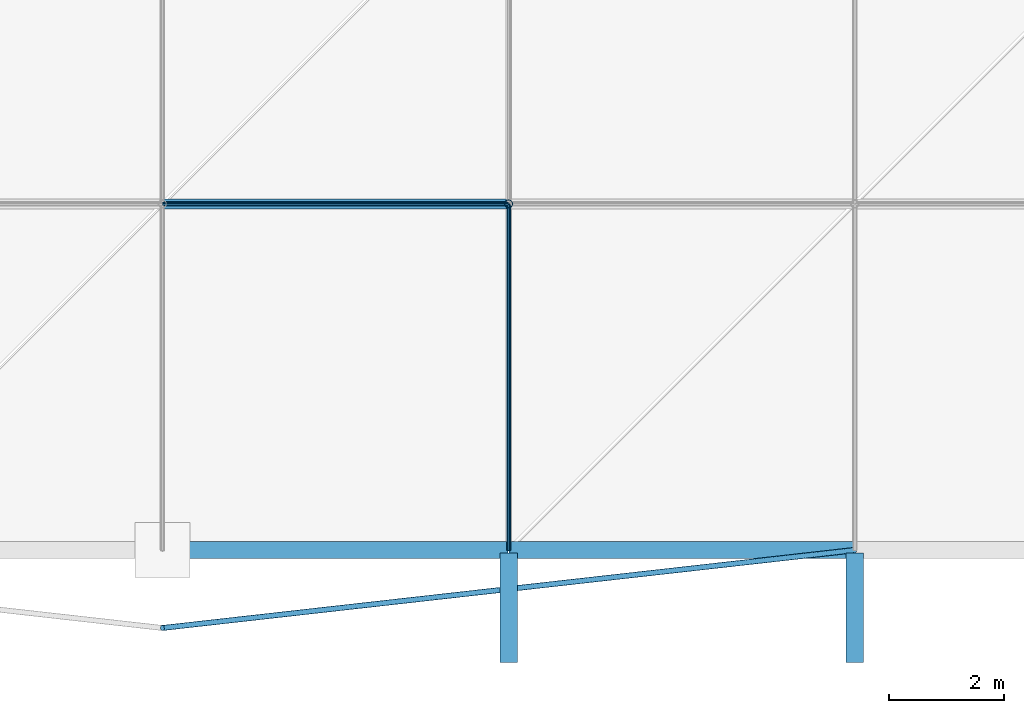
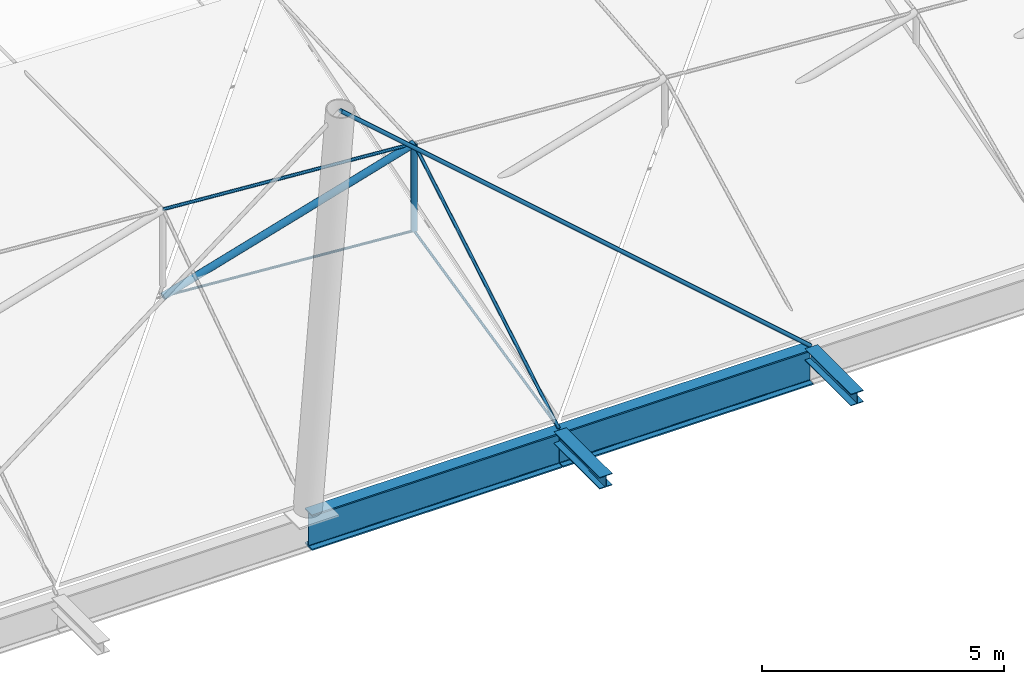
# One storey, part 31 of 132: 7 members, 4 beams.
"""IFC4 building model written with IfcOpenShell, lengths in metres."""

from ifc_helpers import new_model, si_unit, direction, frame, origin, origin_2d, place, context, subcontext, project, spatial, circle, hollow_circle, i_section, extrude, material, material_profile, profile_set, type_object, element, save


model = new_model("IFC4")

# Units and contexts
model_context = context("Model", 3, precision=1e-05, world=origin(), true_north=direction((0.0, 1.0)))
body_context = subcontext(model_context, "Body", "Model", "MODEL_VIEW")
ifc_project = project(units=[si_unit("LENGTHUNIT", "METRE"), si_unit("AREAUNIT", "SQUARE_METRE"), si_unit("VOLUMEUNIT", "CUBIC_METRE"), si_unit("PLANEANGLEUNIT", "RADIAN"), si_unit("MASSUNIT", "GRAM", prefix="KILO")], contexts=[model_context])

# Site, building, storey
site_placement = place(None, origin())
site = spatial("IfcSite", under=ifc_project, at=site_placement, CompositionType="ELEMENT")
building_placement = place(site_placement, origin())
building = spatial("IfcBuilding", under=site, at=building_placement, Name="Deido Ridge Mobility Hub", CompositionType="ELEMENT")
storey_placement = place(building_placement, frame((0.0, 0.0, 8.39990234375)))
storey = spatial("IfcBuildingStorey", under=building, at=storey_placement, Name="L02", CompositionType="ELEMENT", Elevation=8.39990234375)

# Beams
ifc_material_1 = material(Name="Steel S355J2 EN 10025-2", Category="steel")
ifc_material_profile_1 = material_profile(ifc_material_1, i_section(OverallWidth=0.300048828125, OverallDepth=0.89990234375, WebThickness=0.0185546875, FlangeThickness=0.034912109375, FilletRadius=0.027099609375, at=origin_2d()), Name="HEB 900")
ifc_profile_set_1 = profile_set([ifc_material_profile_1], Name="Steel S355J2 EN 10025-2")
beam_type_1 = type_object("IfcBeamType", Name="BM-RING-HEB900", PredefinedType="USERDEFINED", material=ifc_profile_set_1)
beam_1_placement = place(storey_placement, frame((30.014892578125, 0.0, -0.449951171875), z_axis=(1.0, 0.0, 0.0), x_axis=(0.0, 1.0, 0.0)))
element("IfcBeam", 1, at=beam_1_placement, inside=storey, type_object=beam_type_1, Name="Compression ring beam RB1", ObjectType="RING BEAM", PredefinedType="USERDEFINED", context=body_context, shape_type="SweptSolid", body=[
    extrude(i_section(OverallWidth=0.300048828125, OverallDepth=0.89990234375, WebThickness=0.0185546875, FlangeThickness=0.034912109375, FilletRadius=0.027099609375, at=origin_2d()), origin(), (0.0, 0.0, 1.0), 5.97705078125),
])
beam_2_placement = place(storey_placement, frame((36.008056640625, 0.0, -0.449951171875), z_axis=(1.0, 0.0, 0.0), x_axis=(0.0, 1.0, 0.0)))
element("IfcBeam", 2, at=beam_2_placement, inside=storey, type_object=beam_type_1, Name="Compression ring beam RB1", ObjectType="RING BEAM", PredefinedType="USERDEFINED", context=body_context, shape_type="SweptSolid", body=[
    extrude(i_section(OverallWidth=0.300048828125, OverallDepth=0.89990234375, WebThickness=0.0185546875, FlangeThickness=0.034912109375, FilletRadius=0.027099609375, at=origin_2d()), origin(), (0.0, 0.0, 1.0), 5.98388671875),
])

# Members
ifc_material_2 = material(Name="Steel S460M EN 10025-4", Category="steel")
ifc_material_profile_2 = material_profile(ifc_material_2, circle(Radius=0.030029296875, at=origin_2d()), Name="CABLE D60")
ifc_profile_set_2 = profile_set([ifc_material_profile_2], Name="Steel S460M EN 10025-4")
member_type_1 = type_object("IfcMemberType", Name="MEM-CBL-D60", PredefinedType="USERDEFINED", material=ifc_profile_set_2)
member_1_placement = place(storey_placement, frame((30.0, 6.0, 1.800048828125), z_axis=(0.997360957073, 0.0, -0.07260248829), x_axis=(0.0, 1.0, 0.0)))
element("IfcMember", 3, at=member_1_placement, inside=storey, type_object=member_type_1, Name="Saddle lower stabilizing cable CB3", ObjectType="TENSION CABLE", PredefinedType="USERDEFINED", context=body_context, shape_type="SweptSolid", body=[
    extrude(circle(Radius=0.030029296875, at=origin_2d()), origin(), (0.0, 0.0, 1.0), 6.015869140625),
])
member_2_placement = place(storey_placement, frame((36.0, 0.0, 0.0), z_axis=(0.0, 0.975145326943, 0.221566223375), x_axis=(-1.0, 0.0, 0.0)))
element("IfcMember", 4, at=member_2_placement, inside=storey, type_object=member_type_1, Name="Saddle transverse valley cable CB3", ObjectType="TENSION CABLE", PredefinedType="USERDEFINED", context=body_context, shape_type="SweptSolid", body=[
    extrude(circle(Radius=0.030029296875, at=origin_2d()), origin(), (0.0, 0.0, 1.0), 6.15283203125),
])
ifc_material_profile_3 = material_profile(ifc_material_2, circle(Radius=0.0380859375, at=origin_2d()), Name="CABLE D76")
ifc_profile_set_3 = profile_set([ifc_material_profile_3], Name="Steel S460M EN 10025-4")
member_type_2 = type_object("IfcMemberType", Name="MEM-CBL-D76", PredefinedType="USERDEFINED", material=ifc_profile_set_3)
member_3_placement = place(storey_placement, frame((30.0, 6.0, 4.0), z_axis=(0.997363894896, 0.0, -0.072562119306), x_axis=(0.0, 1.0, 0.0)))
element("IfcMember", 5, at=member_3_placement, inside=storey, type_object=member_type_2, Name="Saddle upper longitudinal cable CB2", ObjectType="TENSION CABLE", PredefinedType="USERDEFINED", context=body_context, shape_type="SweptSolid", body=[
    extrude(circle(Radius=0.0380859375, at=origin_2d()), origin(), (0.0, 0.0, 1.0), 6.015869140625),
])
member_4_placement = place(storey_placement, frame((36.0, 0.0, 0.0), z_axis=(0.0, 0.859793305332, 0.510642215358), x_axis=(-1.0, 0.0, 0.0)))
element("IfcMember", 6, at=member_4_placement, inside=storey, type_object=member_type_2, Name="Saddle transverse ridge cable CB2", ObjectType="TENSION CABLE", PredefinedType="USERDEFINED", context=body_context, shape_type="SweptSolid", body=[
    extrude(circle(Radius=0.0380859375, at=origin_2d()), origin(), (0.0, 0.0, 1.0), 6.978515625),
])
ifc_material_profile_4 = material_profile(ifc_material_2, circle(Radius=0.047607421875, at=origin_2d()), Name="CABLE D95")
ifc_profile_set_4 = profile_set([ifc_material_profile_4], Name="Steel S460M EN 10025-4")
member_type_3 = type_object("IfcMemberType", Name="MEM-CBL-D95", PredefinedType="USERDEFINED", material=ifc_profile_set_4)
member_5_placement = place(storey_placement, frame((30.0, -1.35009765625, 10.9501953125), z_axis=(0.736141543271, 0.082821914353, -0.671741139706), x_axis=(-0.111802758991, 0.99373041771, 0.0)))
element("IfcMember", 7, at=member_5_placement, inside=storey, type_object=member_type_3, Name="Mast M5 stay cable CB1", ObjectType="TENSION CABLE", PredefinedType="USERDEFINED", context=body_context, shape_type="SweptSolid", body=[
    extrude(circle(Radius=0.047607421875, at=origin_2d()), origin(), (0.0, 0.0, 1.0), 16.30126953125),
])
ifc_material_3 = material(Name="Steel S355J2H EN 10210-1", Category="steel")
ifc_material_profile_5 = material_profile(ifc_material_3, hollow_circle(Radius=0.06982421875, WallThickness=0.00634765625, at=origin_2d()), Name="CHS 139.7x6.3")
ifc_profile_set_5 = profile_set([ifc_material_profile_5], Name="Steel S355J2H EN 10210-1")
member_type_4 = type_object("IfcMemberType", Name="MEM-STR-CHS140", PredefinedType="STRUT", material=ifc_profile_set_5)
member_6_placement = place(storey_placement, frame((36.0, 6.0, 1.36328125), z_axis=(0.0, 0.0, 1.0), x_axis=(1.0, 0.0, 0.0)))
element("IfcMember", 8, at=member_6_placement, inside=storey, type_object=member_type_4, Name="Cable-net vertical spreader strut SR2", PredefinedType="STRUT", context=body_context, shape_type="SweptSolid", body=[
    extrude(hollow_circle(Radius=0.06982421875, WallThickness=0.00634765625, at=origin_2d()), origin(), (0.0, 0.0, 1.0), 2.2001953125),
])
ifc_material_profile_6 = material_profile(ifc_material_3, hollow_circle(Radius=0.084228515625, WallThickness=0.008056640625, at=origin_2d()), Name="CHS 168.3x8")
ifc_profile_set_6 = profile_set([ifc_material_profile_6], Name="Steel S355J2H EN 10210-1")
member_type_5 = type_object("IfcMemberType", Name="MEM-STR-CHS168", PredefinedType="STRUT", material=ifc_profile_set_6)
member_7_placement = place(storey_placement, frame((30.0, 6.0, 1.800048828125), z_axis=(0.959420809005, 0.0, 0.281978210589), x_axis=(0.0, 1.0, 0.0)))
element("IfcMember", 9, at=member_7_placement, inside=storey, type_object=member_type_5, Name="Saddle diagonal web strut SR1", PredefinedType="STRUT", context=body_context, shape_type="SweptSolid", body=[
    extrude(hollow_circle(Radius=0.084228515625, WallThickness=0.008056640625, at=origin_2d()), origin(), (0.0, 0.0, 1.0), 6.253662109375),
])

# Beams
ifc_material_profile_7 = material_profile(ifc_material_1, i_section(OverallWidth=0.300048828125, OverallDepth=0.300048828125, WebThickness=0.010986328125, FlangeThickness=0.01904296875, FilletRadius=0.027099609375, at=origin_2d()), Name="HEB 300")
ifc_profile_set_7 = profile_set([ifc_material_profile_7], Name="Steel S355J2 EN 10025-2")
beam_type_2 = type_object("IfcBeamType", Name="SPD-HEB300", PredefinedType="SPANDREL", material=ifc_profile_set_7)
for number, where, z_axis, x_axis, name in (
    (10, (36.0, -0.050048828125, -0.14990234375), (0.0, -1.0, 0.0), (1.0, 0.0, 0.0), "Exoskeleton outrigger beam SP1"),
    (11, (42.0, -0.050048828125, -0.14990234375), (0.0, -1.0, 0.0), (1.0, 0.0, 0.0), "Exoskeleton outrigger beam SP1"),
):
    element("IfcBeam", number, at=place(storey_placement, frame(where, z_axis=z_axis, x_axis=x_axis)), inside=storey, type_object=beam_type_2, Name=name, PredefinedType="SPANDREL", context=body_context, shape_type="SweptSolid", body=[
        extrude(i_section(OverallWidth=0.300048828125, OverallDepth=0.300048828125, WebThickness=0.010986328125, FlangeThickness=0.01904296875, FilletRadius=0.027099609375, at=origin_2d()), origin(), (0.0, 0.0, 1.0), 1.89990234375),
    ])

save(model, "model.ifc")
